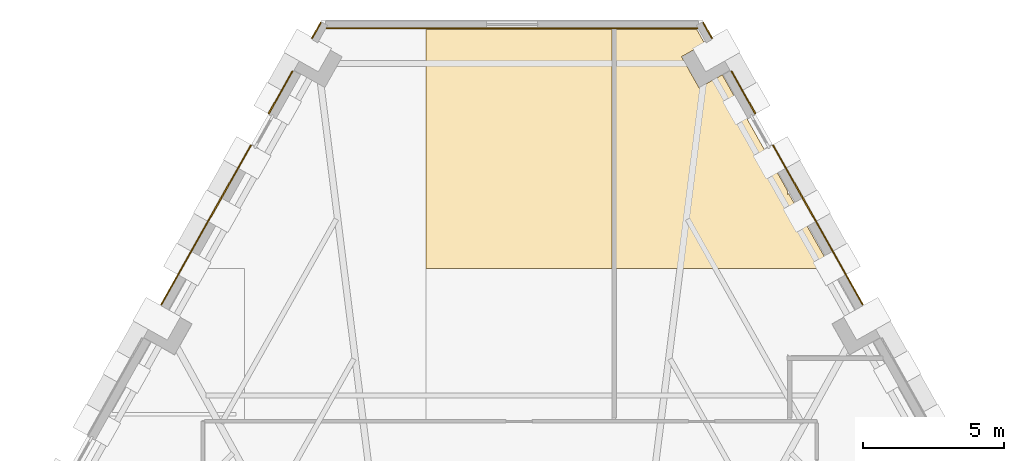
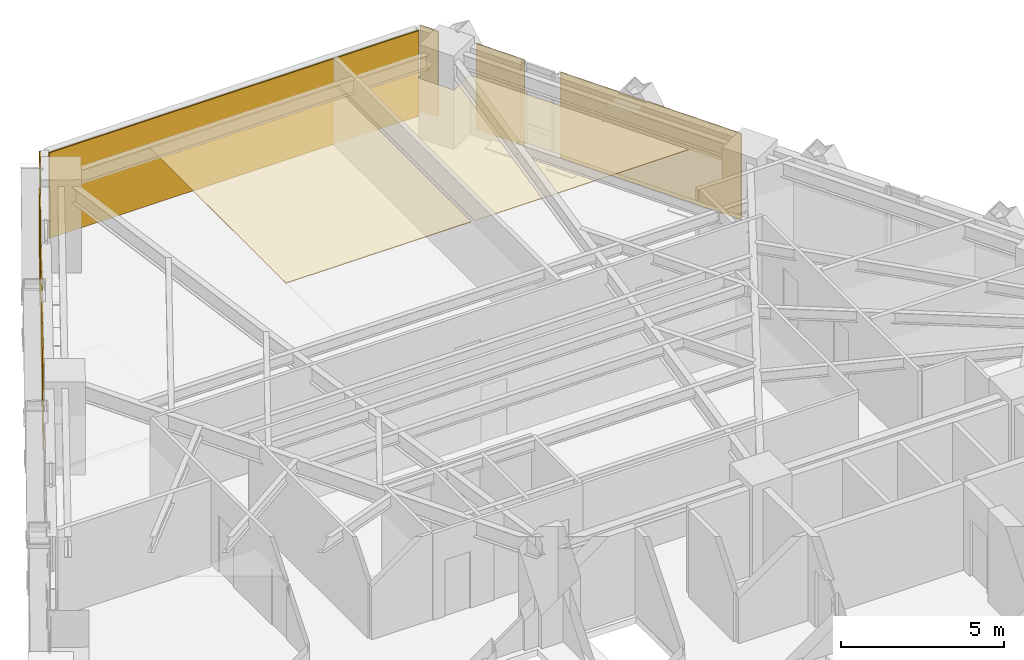
# One storey, part 13 of 13: 9 coverings.
"""IFC4 building model written with IfcOpenShell, lengths in metres."""

from ifc_helpers import new_model, si_unit, direction, frame, origin, place, context, subcontext, project, spatial, polyline, outline, extrude, material, layer, layer_set, type_object, element, save


model = new_model("IFC4")

# Units and contexts
model_context = context("Model", 3, precision=1e-05, world=origin(), true_north=direction((0.0, 1.0)))
body_context = subcontext(model_context, "Body", "Model", "MODEL_VIEW")
ifc_project = project(units=[si_unit("LENGTHUNIT", "METRE"), si_unit("AREAUNIT", "SQUARE_METRE"), si_unit("VOLUMEUNIT", "CUBIC_METRE"), si_unit("PLANEANGLEUNIT", "RADIAN"), si_unit("MASSUNIT", "GRAM", prefix="KILO")], contexts=[model_context])

# Site, building, storey
site_placement = place(None, origin())
site = spatial("IfcSite", under=ifc_project, at=site_placement, CompositionType="ELEMENT")
building_placement = place(site_placement, origin())
building = spatial("IfcBuilding", under=site, at=building_placement, Name="Quenlor Broadcast Tower", CompositionType="ELEMENT")
storey_placement = place(building_placement, frame((0.0, 0.0, 45.10009765625)))
storey = spatial("IfcBuildingStorey", under=building, at=storey_placement, Name="L11", CompositionType="ELEMENT", Elevation=45.10009765625)

# Coverings
ifc_material_1 = material(Name="Acoustic Mineral Fibre Board", Category="other")
ifc_layer_1 = layer(ifc_material_1, 0.02490234375)
ifc_layer_set_1 = layer_set([ifc_layer_1], Name="Acoustic Perforated Mineral Tile Ceiling 25")
covering_type_1 = type_object("IfcCoveringType", Name="Acoustic Perforated Mineral Tile Ceiling 25", PredefinedType="CEILING", material=ifc_layer_set_1)
covering_1_placement = place(storey_placement, frame((0.0, 0.0, 2.224853515625)))
element("IfcCovering", 1, at=covering_1_placement, inside=storey, type_object=covering_type_1, Name="L11 Acoustic Ceiling L11-31-2", PredefinedType="CEILING", context=body_context, shape_type="SweptSolid", body=[
    extrude(outline(polyline([(-3.0400390625, 21.092041015625), (3.5400390625, 21.092041015625), (3.5400390625, 12.64990234375), (-3.0400390625, 12.64990234375), (-3.0400390625, 21.092041015625)])), origin(), (0.0, 0.0, 1.0), 0.025146484375),
])
covering_2_placement = place(storey_placement, frame((0.0, 0.0, 2.224853515625)))
element("IfcCovering", 2, at=covering_2_placement, inside=storey, type_object=covering_type_1, Name="L11 Acoustic Ceiling L11-32-2", PredefinedType="CEILING", context=body_context, shape_type="SweptSolid", body=[
    extrude(outline(polyline([(3.659912109375, 21.092041015625), (6.533203125, 21.092041015625), (6.810791015625, 20.598388671875), (5.989013671875, 20.135986328125), (6.609619140625, 19.03271484375), (7.431396484375, 19.4951171875), (9.739990234375, 15.390869140625), (9.739990234375, 15.267333984375), (9.75341796875, 15.282958984375), (9.775634765625, 15.3017578125), (11.276611328125, 12.64990234375), (3.659912109375, 12.64990234375), (3.659912109375, 21.092041015625)])), origin(), (0.0, 0.0, 1.0), 0.025146484375),
])
ifc_material_2 = material(Name="Architectural Terracotta Ceramic", Category="masonry")
ifc_layer_2 = layer(ifc_material_2, 0.044921875)
ifc_layer_set_2 = layer_set([ifc_layer_2], Name="Fluted Terracotta Rainscreen Cladding Panel")
covering_type_2 = type_object("IfcCoveringType", Name="Fluted Terracotta Rainscreen Cladding Panel", PredefinedType="CLADDING", material=ifc_layer_set_2)
covering_3_placement = place(storey_placement, frame((0.0, 0.0, 0.02001953125)))
element("IfcCovering", 3, at=covering_3_placement, inside=storey, type_object=covering_type_2, Name="L11 Terracotta Rainscreen Cladding L11-SHD-NES0", PredefinedType="CLADDING", context=body_context, shape_type="SweptSolid", body=[
    extrude(outline(polyline([(6.734130859375, 21.330078125), (7.052001953125, 20.76513671875), (7.09130859375, 20.787109375), (6.7734375, 21.35205078125), (6.734130859375, 21.330078125)])), origin(), (0.0, 0.0, 1.0), 3.2099609375),
])
covering_4_placement = place(storey_placement, frame((0.0, 0.0, 0.02001953125)))
element("IfcCovering", 4, at=covering_4_placement, inside=storey, type_object=covering_type_2, Name="L11 Terracotta Rainscreen Cladding L11-NEA-SP1", PredefinedType="CLADDING", context=body_context, shape_type="SweptSolid", body=[
    extrude(outline(polyline([(7.735107421875, 19.612060546875), (8.580078125, 18.10986328125), (8.619384765625, 18.1318359375), (7.7744140625, 19.634033203125), (7.735107421875, 19.612060546875)])), origin(), (0.0, 0.0, 1.0), 3.2099609375),
])
covering_5_placement = place(storey_placement, frame((0.0, 0.0, 0.02001953125)))
element("IfcCovering", 5, at=covering_5_placement, inside=storey, type_object=covering_type_2, Name="L11 Terracotta Rainscreen Cladding L11-NEA-SP2", PredefinedType="CLADDING", context=body_context, shape_type="SweptSolid", body=[
    extrude(outline(polyline([(9.201416015625, 17.005126953125), (12.380615234375, 11.353515625), (12.419677734375, 11.37548828125), (9.240478515625, 17.027099609375), (9.201416015625, 17.005126953125)])), origin(), (0.0, 0.0, 1.0), 3.2099609375),
])
covering_6_placement = place(storey_placement, frame((0.0, 0.0, 0.02001953125)))
element("IfcCovering", 6, at=covering_6_placement, inside=storey, type_object=covering_type_2, Name="L11 Terracotta Rainscreen Cladding L11-SHD-NWS1", PredefinedType="CLADDING", context=body_context, shape_type="SweptSolid", body=[
    extrude(outline(polyline([(-7.052001953125, 20.76513671875), (-6.734130859375, 21.330078125), (-6.7734375, 21.35205078125), (-7.09130859375, 20.787109375), (-7.052001953125, 20.76513671875)])), origin(), (0.0, 0.0, 1.0), 3.2099609375),
])
covering_7_placement = place(storey_placement, frame((0.0, 0.0, 0.02001953125)))
element("IfcCovering", 7, at=covering_7_placement, inside=storey, type_object=covering_type_2, Name="L11 Terracotta Rainscreen Cladding L11-NWC-SP1", PredefinedType="CLADDING", context=body_context, shape_type="SweptSolid", body=[
    extrude(outline(polyline([(-12.380615234375, 11.353515625), (-9.201416015625, 17.005126953125), (-9.240478515625, 17.027099609375), (-12.419677734375, 11.37548828125), (-12.380615234375, 11.353515625)])), origin(), (0.0, 0.0, 1.0), 3.2099609375),
])
covering_8_placement = place(storey_placement, frame((0.0, 0.0, 0.02001953125)))
element("IfcCovering", 8, at=covering_8_placement, inside=storey, type_object=covering_type_2, Name="L11 Terracotta Rainscreen Cladding L11-NWC-SP2", PredefinedType="CLADDING", context=body_context, shape_type="SweptSolid", body=[
    extrude(outline(polyline([(-8.580078125, 18.10986328125), (-7.735107421875, 19.612060546875), (-7.7744140625, 19.634033203125), (-8.619384765625, 18.1318359375), (-8.580078125, 18.10986328125)])), origin(), (0.0, 0.0, 1.0), 3.2099609375),
])
covering_9_placement = place(storey_placement, frame((0.0, 0.0, 0.02001953125)))
element("IfcCovering", 9, at=covering_9_placement, inside=storey, type_object=covering_type_2, Name="L11 Terracotta Rainscreen Cladding L11-CNR-02", PredefinedType="CLADDING", context=body_context, shape_type="SweptSolid", body=[
    extrude(outline(polyline([(6.568359375, 21.159912109375), (-6.558349609375, 21.159912109375), (-6.558349609375, 21.114990234375), (6.568359375, 21.114990234375), (6.568359375, 21.159912109375)])), origin(), (0.0, 0.0, 1.0), 3.2099609375),
])

save(model, "model.ifc")
